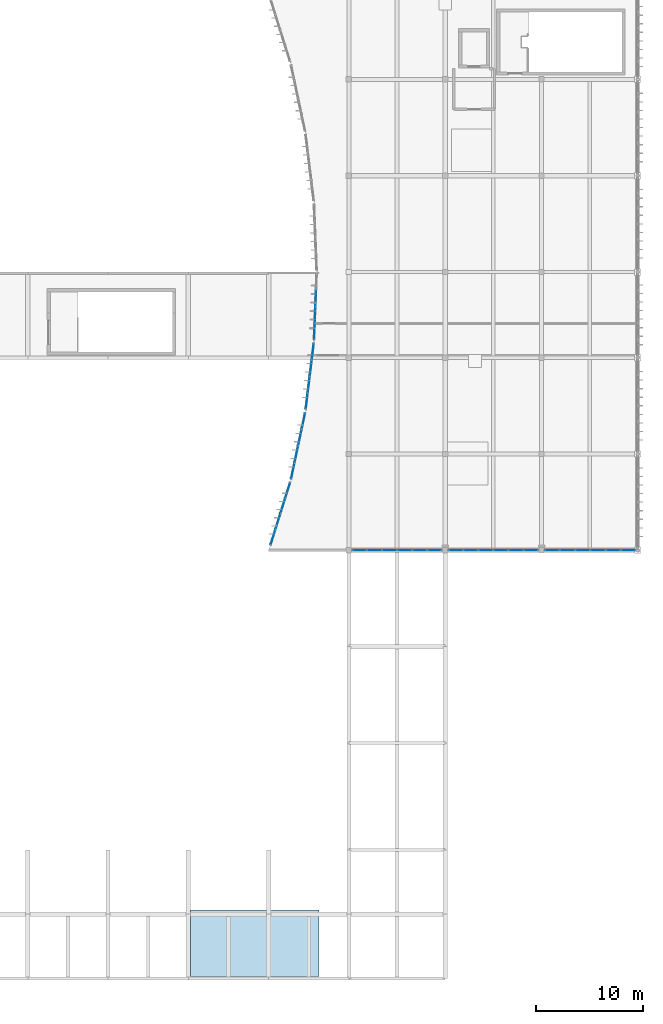
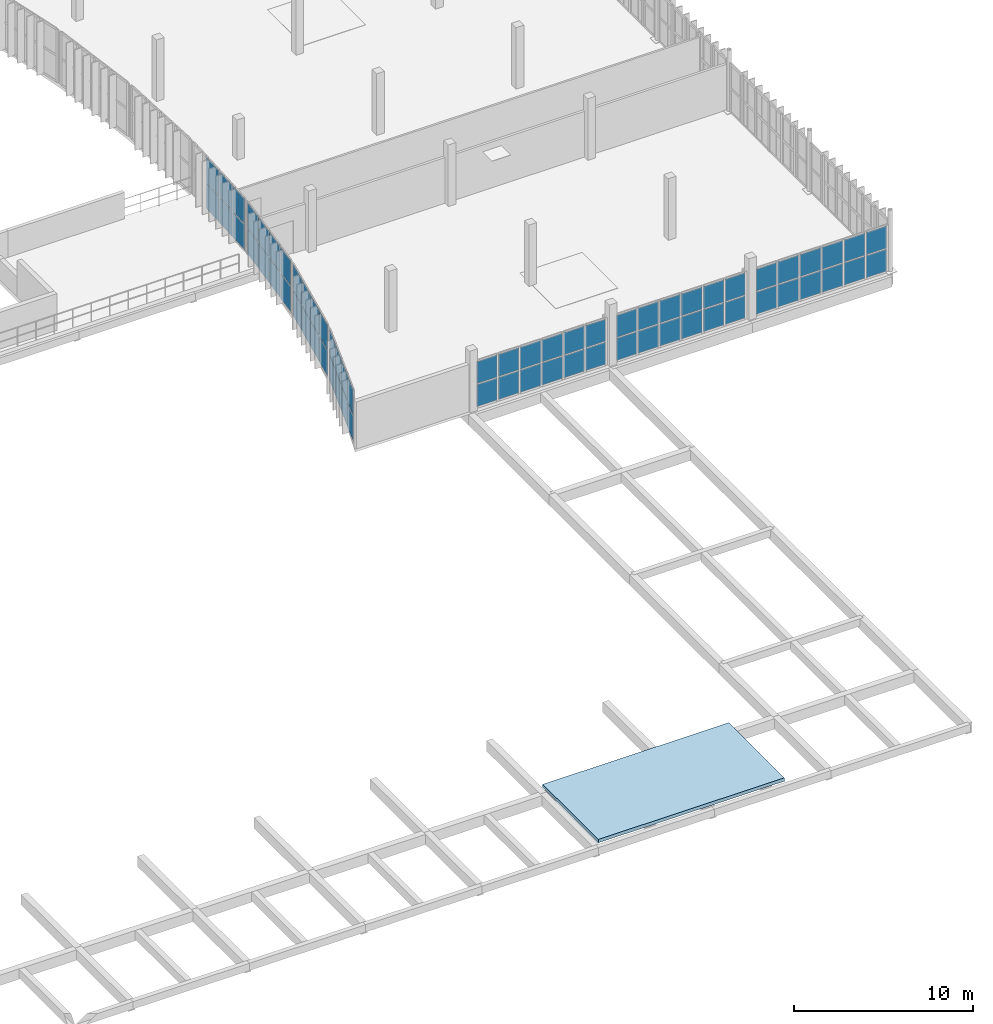
# One storey, part 36 of 61: 66 plates, 1 slab, 7 elements without a shape of their own.
"""IFC4 building model written with IfcOpenShell, lengths in metres."""

from ifc_helpers import new_model, si_unit, direction, frame, origin, origin_2d, place, context, subcontext, project, spatial, polyline, rectangle, outline, extrude, material, layer, layer_set, type_object, element, aggregate, save


model = new_model("IFC4")

# Units and contexts
model_context = context("Model", 3, precision=1e-05, world=origin(), true_north=direction((0.0, 1.0)))
body_context = subcontext(model_context, "Body", "Model", "MODEL_VIEW")
ifc_project = project(units=[si_unit("LENGTHUNIT", "METRE"), si_unit("AREAUNIT", "SQUARE_METRE"), si_unit("VOLUMEUNIT", "CUBIC_METRE"), si_unit("PLANEANGLEUNIT", "RADIAN"), si_unit("MASSUNIT", "GRAM", prefix="KILO")], contexts=[model_context])

# Site, building, storey
site_placement = place(None, origin())
site = spatial("IfcSite", under=ifc_project, at=site_placement, CompositionType="ELEMENT")
building_placement = place(site_placement, origin())
building = spatial("IfcBuilding", under=site, at=building_placement, Name="Vourika Railside Aquatics Centre", CompositionType="ELEMENT")
storey_placement = place(building_placement, frame((0.0, 0.0, 9.300048828125)))
storey = spatial("IfcBuildingStorey", under=building, at=storey_placement, Name="L02", CompositionType="ELEMENT", Elevation=9.300048828125)

# Curtain wall, plates
ifc_material_1 = material(Name="Anodized thermally broken aluminium", Category="aluminium")
curtain_wall_type_1 = type_object("IfcCurtainWallType", Name="CW-FOYC2", PredefinedType="NOTDEFINED", material=ifc_material_1)
curtain_wall_1_placement = place(storey_placement, origin())
curtain_wall_1 = element("IfcCurtainWall", 1, at=curtain_wall_1_placement, inside=storey, type_object=curtain_wall_type_1, Name="Curved Courtyard Foyer Curtain Wall L02-1", PredefinedType="NOTDEFINED")
ifc_material_2 = material(Name="Low-E solar-control laminated double glazing", Category="glass")
ifc_layer_1 = layer(ifc_material_2, 0.02392578125, Name="CWP-FOYC2")
ifc_layer_set_1 = layer_set([ifc_layer_1], Name="Low-E solar-control laminated double glazing")
plate_type_1 = type_object("IfcPlateType", Name="CWP-FOYC2", PredefinedType="CURTAIN_PANEL", material=ifc_layer_set_1)
plate_1_placement = place(storey_placement, frame((135.292724609375, 45.60888671875, 0.06787109375), z_axis=(0.0, 0.0, 1.0), x_axis=(-0.29997424472, -0.953947300696, 0.0)))
plate_1 = element("IfcPlate", 2, at=plate_1_placement, type_object=plate_type_1, Name="CW09 panel 1.1", PredefinedType="CURTAIN_PANEL", context=body_context, shape_type="SweptSolid", body=[
    extrude(rectangle(XDim=1.43896484375, YDim=0.02392578125, at=origin_2d()), origin(), (0.0, 0.0, 1.0), 1.7080078125),
])
plate_2_placement = place(storey_placement, frame((135.292724609375, 45.60888671875, 1.843994140625), z_axis=(0.0, 0.0, 1.0), x_axis=(-0.29997424472, -0.953947300696, 0.0)))
plate_2 = element("IfcPlate", 3, at=plate_2_placement, type_object=plate_type_1, Name="CW09 panel 1.2", PredefinedType="CURTAIN_PANEL", context=body_context, shape_type="SweptSolid", body=[
    extrude(rectangle(XDim=1.43896484375, YDim=0.02392578125, at=origin_2d()), origin(), (0.0, 0.0, 1.0), 1.7080078125),
])
plate_3_placement = place(storey_placement, frame((134.835693359375, 44.155029296875, 0.06787109375), z_axis=(0.0, 0.0, 1.0), x_axis=(-0.29997424472, -0.953947300696, 0.0)))
plate_3 = element("IfcPlate", 4, at=plate_3_placement, type_object=plate_type_1, Name="CW09 panel 2.1", PredefinedType="CURTAIN_PANEL", context=body_context, shape_type="SweptSolid", body=[
    extrude(rectangle(XDim=1.472900390625, YDim=0.02392578125, at=origin_2d()), origin(), (0.0, 0.0, 1.0), 1.7080078125),
])
plate_4_placement = place(storey_placement, frame((134.835693359375, 44.155029296875, 1.843994140625), z_axis=(0.0, 0.0, 1.0), x_axis=(-0.29997424472, -0.953947300696, 0.0)))
plate_4 = element("IfcPlate", 5, at=plate_4_placement, type_object=plate_type_1, Name="CW09 panel 2.2", PredefinedType="CURTAIN_PANEL", context=body_context, shape_type="SweptSolid", body=[
    extrude(rectangle(XDim=1.472900390625, YDim=0.02392578125, at=origin_2d()), origin(), (0.0, 0.0, 1.0), 1.7080078125),
])
plate_5_placement = place(storey_placement, frame((134.373291015625, 42.68505859375, 0.06787109375), z_axis=(0.0, 0.0, 1.0), x_axis=(-0.29997424472, -0.953947300696, 0.0)))
plate_5 = element("IfcPlate", 6, at=plate_5_placement, type_object=plate_type_1, Name="CW09 panel 3.1", PredefinedType="CURTAIN_PANEL", context=body_context, shape_type="SweptSolid", body=[
    extrude(rectangle(XDim=1.472900390625, YDim=0.02392578125, at=origin_2d()), origin(), (0.0, 0.0, 1.0), 1.7080078125),
])
plate_6_placement = place(storey_placement, frame((134.373291015625, 42.68505859375, 1.843994140625), z_axis=(0.0, 0.0, 1.0), x_axis=(-0.29997424472, -0.953947300696, 0.0)))
plate_6 = element("IfcPlate", 7, at=plate_6_placement, type_object=plate_type_1, Name="CW09 panel 3.2", PredefinedType="CURTAIN_PANEL", context=body_context, shape_type="SweptSolid", body=[
    extrude(rectangle(XDim=1.472900390625, YDim=0.02392578125, at=origin_2d()), origin(), (0.0, 0.0, 1.0), 1.7080078125),
])
plate_7_placement = place(storey_placement, frame((133.916259765625, 41.231201171875, 0.06787109375), z_axis=(0.0, 0.0, 1.0), x_axis=(-0.29997424472, -0.953947300696, 0.0)))
plate_7 = element("IfcPlate", 8, at=plate_7_placement, type_object=plate_type_1, Name="CW09 panel 4.1", PredefinedType="CURTAIN_PANEL", context=body_context, shape_type="SweptSolid", body=[
    extrude(rectangle(XDim=1.43896484375, YDim=0.02392578125, at=origin_2d()), origin(), (0.0, 0.0, 1.0), 1.7080078125),
])
plate_8_placement = place(storey_placement, frame((133.916259765625, 41.231201171875, 1.843994140625), z_axis=(0.0, 0.0, 1.0), x_axis=(-0.29997424472, -0.953947300696, 0.0)))
plate_8 = element("IfcPlate", 9, at=plate_8_placement, type_object=plate_type_1, Name="CW09 panel 4.2", PredefinedType="CURTAIN_PANEL", context=body_context, shape_type="SweptSolid", body=[
    extrude(rectangle(XDim=1.43896484375, YDim=0.02392578125, at=origin_2d()), origin(), (0.0, 0.0, 1.0), 1.7080078125),
])
aggregate(curtain_wall_1, [plate_1, plate_2, plate_3, plate_4, plate_5, plate_6, plate_7, plate_8])

curtain_wall_2_placement = place(storey_placement, origin())
curtain_wall_2 = element("IfcCurtainWall", 10, at=curtain_wall_2_placement, inside=storey, type_object=curtain_wall_type_1, Name="Curved Courtyard Foyer Curtain Wall L02-2", PredefinedType="NOTDEFINED")
plate_9_placement = place(storey_placement, frame((136.75341796875, 52.06591796875, 0.06787109375), z_axis=(0.0, 0.0, 1.0), x_axis=(-0.207595418094, -0.978214773139, 0.0)))
plate_9 = element("IfcPlate", 11, at=plate_9_placement, type_object=plate_type_1, Name="CW09 panel 1.1", PredefinedType="CURTAIN_PANEL", context=body_context, shape_type="SweptSolid", body=[
    extrude(rectangle(XDim=1.487548828125, YDim=0.02392578125, at=origin_2d()), origin(), (0.0, 0.0, 1.0), 1.7080078125),
])
plate_10_placement = place(storey_placement, frame((136.75341796875, 52.06591796875, 1.843994140625), z_axis=(0.0, 0.0, 1.0), x_axis=(-0.207595418094, -0.978214773139, 0.0)))
plate_10 = element("IfcPlate", 12, at=plate_10_placement, type_object=plate_type_1, Name="CW09 panel 1.2", PredefinedType="CURTAIN_PANEL", context=body_context, shape_type="SweptSolid", body=[
    extrude(rectangle(XDim=1.487548828125, YDim=0.02392578125, at=origin_2d()), origin(), (0.0, 0.0, 1.0), 1.7080078125),
])
plate_11_placement = place(storey_placement, frame((136.427001953125, 50.527587890625, 0.06787109375), z_axis=(0.0, 0.0, 1.0), x_axis=(-0.207595418094, -0.978214773139, 0.0)))
plate_11 = element("IfcPlate", 13, at=plate_11_placement, type_object=plate_type_1, Name="CW09 panel 2.1", PredefinedType="CURTAIN_PANEL", context=body_context, shape_type="SweptSolid", body=[
    extrude(rectangle(XDim=1.521728515625, YDim=0.02392578125, at=origin_2d()), origin(), (0.0, 0.0, 1.0), 1.7080078125),
])
plate_12_placement = place(storey_placement, frame((136.427001953125, 50.527587890625, 1.843994140625), z_axis=(0.0, 0.0, 1.0), x_axis=(-0.207595418094, -0.978214773139, 0.0)))
plate_12 = element("IfcPlate", 14, at=plate_12_placement, type_object=plate_type_1, Name="CW09 panel 2.2", PredefinedType="CURTAIN_PANEL", context=body_context, shape_type="SweptSolid", body=[
    extrude(rectangle(XDim=1.521728515625, YDim=0.02392578125, at=origin_2d()), origin(), (0.0, 0.0, 1.0), 1.7080078125),
])
plate_13_placement = place(storey_placement, frame((136.096923828125, 48.972412109375, 0.06787109375), z_axis=(0.0, 0.0, 1.0), x_axis=(-0.207595418094, -0.978214773139, 0.0)))
plate_13 = element("IfcPlate", 15, at=plate_13_placement, type_object=plate_type_1, Name="CW09 panel 3.1", PredefinedType="CURTAIN_PANEL", context=body_context, shape_type="SweptSolid", body=[
    extrude(rectangle(XDim=1.521728515625, YDim=0.02392578125, at=origin_2d()), origin(), (0.0, 0.0, 1.0), 1.7080078125),
])
plate_14_placement = place(storey_placement, frame((136.096923828125, 48.972412109375, 1.843994140625), z_axis=(0.0, 0.0, 1.0), x_axis=(-0.207595418094, -0.978214773139, 0.0)))
plate_14 = element("IfcPlate", 16, at=plate_14_placement, type_object=plate_type_1, Name="CW09 panel 3.2", PredefinedType="CURTAIN_PANEL", context=body_context, shape_type="SweptSolid", body=[
    extrude(rectangle(XDim=1.521728515625, YDim=0.02392578125, at=origin_2d()), origin(), (0.0, 0.0, 1.0), 1.7080078125),
])
plate_15_placement = place(storey_placement, frame((135.7705078125, 47.43408203125, 0.06787109375), z_axis=(0.0, 0.0, 1.0), x_axis=(-0.207595418094, -0.978214773139, 0.0)))
plate_15 = element("IfcPlate", 17, at=plate_15_placement, type_object=plate_type_1, Name="CW09 panel 4.1", PredefinedType="CURTAIN_PANEL", context=body_context, shape_type="SweptSolid", body=[
    extrude(rectangle(XDim=1.487548828125, YDim=0.02392578125, at=origin_2d()), origin(), (0.0, 0.0, 1.0), 1.7080078125),
])
plate_16_placement = place(storey_placement, frame((135.7705078125, 47.43408203125, 1.843994140625), z_axis=(0.0, 0.0, 1.0), x_axis=(-0.207595418094, -0.978214773139, 0.0)))
plate_16 = element("IfcPlate", 18, at=plate_16_placement, type_object=plate_type_1, Name="CW09 panel 4.2", PredefinedType="CURTAIN_PANEL", context=body_context, shape_type="SweptSolid", body=[
    extrude(rectangle(XDim=1.487548828125, YDim=0.02392578125, at=origin_2d()), origin(), (0.0, 0.0, 1.0), 1.7080078125),
])
aggregate(curtain_wall_2, [plate_9, plate_10, plate_11, plate_12, plate_13, plate_14, plate_15, plate_16])

curtain_wall_3_placement = place(storey_placement, origin())
curtain_wall_3 = element("IfcCurtainWall", 19, at=curtain_wall_3_placement, inside=storey, type_object=curtain_wall_type_1, Name="Curved Courtyard Foyer Curtain Wall L02-3", PredefinedType="NOTDEFINED")
plate_17_placement = place(storey_placement, frame((137.6318359375, 58.565673828125, 0.06787109375), z_axis=(0.0, 0.0, 1.0), x_axis=(-0.121441721361, -0.992598563525, 0.0)))
plate_17 = element("IfcPlate", 20, at=plate_17_placement, type_object=plate_type_1, Name="CW09 panel 1.1", PredefinedType="CURTAIN_PANEL", context=body_context, shape_type="SweptSolid", body=[
    extrude(rectangle(XDim=1.464599609375, YDim=0.02392578125, at=origin_2d()), origin(), (0.0, 0.0, 1.0), 1.7080078125),
])
plate_18_placement = place(storey_placement, frame((137.6318359375, 58.565673828125, 1.843994140625), z_axis=(0.0, 0.0, 1.0), x_axis=(-0.121441721361, -0.992598563525, 0.0)))
plate_18 = element("IfcPlate", 21, at=plate_18_placement, type_object=plate_type_1, Name="CW09 panel 1.2", PredefinedType="CURTAIN_PANEL", context=body_context, shape_type="SweptSolid", body=[
    extrude(rectangle(XDim=1.464599609375, YDim=0.02392578125, at=origin_2d()), origin(), (0.0, 0.0, 1.0), 1.7080078125),
])
plate_19_placement = place(storey_placement, frame((137.443603515625, 57.027587890625, 0.06787109375), z_axis=(0.0, 0.0, 1.0), x_axis=(-0.121441721361, -0.992598563525, 0.0)))
plate_19 = element("IfcPlate", 22, at=plate_19_placement, type_object=plate_type_1, Name="CW09 panel 2.1", PredefinedType="CURTAIN_PANEL", context=body_context, shape_type="SweptSolid", body=[
    extrude(rectangle(XDim=1.49853515625, YDim=0.02392578125, at=origin_2d()), origin(), (0.0, 0.0, 1.0), 1.7080078125),
])
plate_20_placement = place(storey_placement, frame((137.443603515625, 57.027587890625, 1.843994140625), z_axis=(0.0, 0.0, 1.0), x_axis=(-0.121441721361, -0.992598563525, 0.0)))
plate_20 = element("IfcPlate", 23, at=plate_20_placement, type_object=plate_type_1, Name="CW09 panel 2.2", PredefinedType="CURTAIN_PANEL", context=body_context, shape_type="SweptSolid", body=[
    extrude(rectangle(XDim=1.49853515625, YDim=0.02392578125, at=origin_2d()), origin(), (0.0, 0.0, 1.0), 1.7080078125),
])
plate_21_placement = place(storey_placement, frame((137.25341796875, 55.472412109375, 0.06787109375), z_axis=(0.0, 0.0, 1.0), x_axis=(-0.121441721361, -0.992598563525, 0.0)))
plate_21 = element("IfcPlate", 24, at=plate_21_placement, type_object=plate_type_1, Name="CW09 panel 3.1", PredefinedType="CURTAIN_PANEL", context=body_context, shape_type="SweptSolid", body=[
    extrude(rectangle(XDim=1.49853515625, YDim=0.02392578125, at=origin_2d()), origin(), (0.0, 0.0, 1.0), 1.7080078125),
])
plate_22_placement = place(storey_placement, frame((137.25341796875, 55.472412109375, 1.843994140625), z_axis=(0.0, 0.0, 1.0), x_axis=(-0.121441721361, -0.992598563525, 0.0)))
plate_22 = element("IfcPlate", 25, at=plate_22_placement, type_object=plate_type_1, Name="CW09 panel 3.2", PredefinedType="CURTAIN_PANEL", context=body_context, shape_type="SweptSolid", body=[
    extrude(rectangle(XDim=1.49853515625, YDim=0.02392578125, at=origin_2d()), origin(), (0.0, 0.0, 1.0), 1.7080078125),
])
plate_23_placement = place(storey_placement, frame((137.065185546875, 53.934326171875, 0.06787109375), z_axis=(0.0, 0.0, 1.0), x_axis=(-0.121441721361, -0.992598563525, 0.0)))
plate_23 = element("IfcPlate", 26, at=plate_23_placement, type_object=plate_type_1, Name="CW09 panel 4.1", PredefinedType="CURTAIN_PANEL", context=body_context, shape_type="SweptSolid", body=[
    extrude(rectangle(XDim=1.464599609375, YDim=0.02392578125, at=origin_2d()), origin(), (0.0, 0.0, 1.0), 1.7080078125),
])
plate_24_placement = place(storey_placement, frame((137.065185546875, 53.934326171875, 1.843994140625), z_axis=(0.0, 0.0, 1.0), x_axis=(-0.121441721361, -0.992598563525, 0.0)))
plate_24 = element("IfcPlate", 27, at=plate_24_placement, type_object=plate_type_1, Name="CW09 panel 4.2", PredefinedType="CURTAIN_PANEL", context=body_context, shape_type="SweptSolid", body=[
    extrude(rectangle(XDim=1.464599609375, YDim=0.02392578125, at=origin_2d()), origin(), (0.0, 0.0, 1.0), 1.7080078125),
])
aggregate(curtain_wall_3, [plate_17, plate_18, plate_19, plate_20, plate_21, plate_22, plate_23, plate_24])

curtain_wall_4_placement = place(storey_placement, origin())
curtain_wall_4 = element("IfcCurtainWall", 28, at=curtain_wall_4_placement, inside=storey, type_object=curtain_wall_type_1, Name="Curved Courtyard Foyer Curtain Wall L02-4", PredefinedType="NOTDEFINED")
plate_25_placement = place(storey_placement, frame((137.90673828125, 63.527587890625, 0.06787109375), z_axis=(0.0, 0.0, 1.0), x_axis=(-0.040000115606, -0.999199675116, 0.0)))
plate_25 = element("IfcPlate", 29, at=plate_25_placement, type_object=plate_type_1, Name="CW09 panel 2.1", PredefinedType="CURTAIN_PANEL", context=body_context, shape_type="SweptSolid", body=[
    extrude(rectangle(XDim=1.48828125, YDim=0.02392578125, at=origin_2d()), origin(), (0.0, 0.0, 1.0), 1.7080078125),
])
plate_26_placement = place(storey_placement, frame((137.90673828125, 63.527587890625, 1.843994140625), z_axis=(0.0, 0.0, 1.0), x_axis=(-0.040000115606, -0.999199675116, 0.0)))
plate_26 = element("IfcPlate", 30, at=plate_26_placement, type_object=plate_type_1, Name="CW09 panel 2.2", PredefinedType="CURTAIN_PANEL", context=body_context, shape_type="SweptSolid", body=[
    extrude(rectangle(XDim=1.48828125, YDim=0.02392578125, at=origin_2d()), origin(), (0.0, 0.0, 1.0), 1.7080078125),
])
plate_27_placement = place(storey_placement, frame((137.844482421875, 61.972412109375, 0.06787109375), z_axis=(0.0, 0.0, 1.0), x_axis=(-0.040000115606, -0.999199675116, 0.0)))
plate_27 = element("IfcPlate", 31, at=plate_27_placement, type_object=plate_type_1, Name="CW09 panel 3.1", PredefinedType="CURTAIN_PANEL", context=body_context, shape_type="SweptSolid", body=[
    extrude(rectangle(XDim=1.48828125, YDim=0.02392578125, at=origin_2d()), origin(), (0.0, 0.0, 1.0), 1.7080078125),
])
plate_28_placement = place(storey_placement, frame((137.844482421875, 61.972412109375, 1.843994140625), z_axis=(0.0, 0.0, 1.0), x_axis=(-0.040000115606, -0.999199675116, 0.0)))
plate_28 = element("IfcPlate", 32, at=plate_28_placement, type_object=plate_type_1, Name="CW09 panel 3.2", PredefinedType="CURTAIN_PANEL", context=body_context, shape_type="SweptSolid", body=[
    extrude(rectangle(XDim=1.48828125, YDim=0.02392578125, at=origin_2d()), origin(), (0.0, 0.0, 1.0), 1.7080078125),
])
plate_29_placement = place(storey_placement, frame((137.78271484375, 60.4345703125, 0.06787109375), z_axis=(0.0, 0.0, 1.0), x_axis=(-0.040000115606, -0.999199675116, 0.0)))
plate_29 = element("IfcPlate", 33, at=plate_29_placement, type_object=plate_type_1, Name="CW09 panel 4.1", PredefinedType="CURTAIN_PANEL", context=body_context, shape_type="SweptSolid", body=[
    extrude(rectangle(XDim=1.454345703125, YDim=0.02392578125, at=origin_2d()), origin(), (0.0, 0.0, 1.0), 1.7080078125),
])
plate_30_placement = place(storey_placement, frame((137.78271484375, 60.4345703125, 1.843994140625), z_axis=(0.0, 0.0, 1.0), x_axis=(-0.040000115606, -0.999199675116, 0.0)))
plate_30 = element("IfcPlate", 34, at=plate_30_placement, type_object=plate_type_1, Name="CW09 panel 4.2", PredefinedType="CURTAIN_PANEL", context=body_context, shape_type="SweptSolid", body=[
    extrude(rectangle(XDim=1.454345703125, YDim=0.02392578125, at=origin_2d()), origin(), (0.0, 0.0, 1.0), 1.7080078125),
])
aggregate(curtain_wall_4, [plate_25, plate_26, plate_27, plate_28, plate_29, plate_30])

curtain_wall_type_2 = type_object("IfcCurtainWallType", Name="CW-FOYS", PredefinedType="NOTDEFINED", material=ifc_material_1)
curtain_wall_5_placement = place(storey_placement, origin())
curtain_wall_5 = element("IfcCurtainWall", 35, at=curtain_wall_5_placement, inside=storey, type_object=curtain_wall_type_2, Name="Foyer South Glazed Facade L02-1", PredefinedType="NOTDEFINED")
ifc_layer_2 = layer(ifc_material_2, 0.031982421875, Name="CWP-FOYS")
ifc_layer_set_2 = layer_set([ifc_layer_2], Name="Low-E solar-control laminated double glazing")
plate_type_2 = type_object("IfcPlateType", Name="CWP-FOYS", PredefinedType="CURTAIN_PANEL", material=ifc_layer_set_2)
plate_31_placement = place(storey_placement, frame((142.001220703125, 40.0, 0.072021484375), z_axis=(0.0, 0.0, 1.0), x_axis=(1.0, 0.0, 0.0)))
plate_31 = element("IfcPlate", 36, at=plate_31_placement, type_object=plate_type_2, Name="CW11 panel 1.1", PredefinedType="CURTAIN_PANEL", context=body_context, shape_type="SweptSolid", body=[
    extrude(rectangle(XDim=1.298583984375, YDim=0.031982421875, at=origin_2d()), origin(), (0.0, 0.0, 1.0), 1.501953125),
])
plate_32_placement = place(storey_placement, frame((142.001220703125, 40.0, 1.64599609375), z_axis=(0.0, 0.0, 1.0), x_axis=(1.0, 0.0, 0.0)))
plate_32 = element("IfcPlate", 37, at=plate_32_placement, type_object=plate_type_2, Name="CW11 panel 1.2", PredefinedType="CURTAIN_PANEL", context=body_context, shape_type="SweptSolid", body=[
    extrude(rectangle(XDim=1.298583984375, YDim=0.031982421875, at=origin_2d()), origin(), (0.0, 0.0, 1.0), 1.501953125),
])
plate_33_placement = place(storey_placement, frame((143.389892578125, 40.0, 0.072021484375), z_axis=(0.0, 0.0, 1.0), x_axis=(1.0, 0.0, 0.0)))
plate_33 = element("IfcPlate", 38, at=plate_33_placement, type_object=plate_type_2, Name="CW11 panel 2.1", PredefinedType="CURTAIN_PANEL", context=body_context, shape_type="SweptSolid", body=[
    extrude(rectangle(XDim=1.334716796875, YDim=0.031982421875, at=origin_2d()), origin(), (0.0, 0.0, 1.0), 1.501953125),
])
plate_34_placement = place(storey_placement, frame((143.389892578125, 40.0, 1.64599609375), z_axis=(0.0, 0.0, 1.0), x_axis=(1.0, 0.0, 0.0)))
plate_34 = element("IfcPlate", 39, at=plate_34_placement, type_object=plate_type_2, Name="CW11 panel 2.2", PredefinedType="CURTAIN_PANEL", context=body_context, shape_type="SweptSolid", body=[
    extrude(rectangle(XDim=1.334716796875, YDim=0.031982421875, at=origin_2d()), origin(), (0.0, 0.0, 1.0), 1.501953125),
])
plate_35_placement = place(storey_placement, frame((144.796630859375, 40.0, 0.072021484375), z_axis=(0.0, 0.0, 1.0), x_axis=(1.0, 0.0, 0.0)))
plate_35 = element("IfcPlate", 40, at=plate_35_placement, type_object=plate_type_2, Name="CW11 panel 3.1", PredefinedType="CURTAIN_PANEL", context=body_context, shape_type="SweptSolid", body=[
    extrude(rectangle(XDim=1.334716796875, YDim=0.031982421875, at=origin_2d()), origin(), (0.0, 0.0, 1.0), 1.501953125),
])
plate_36_placement = place(storey_placement, frame((144.796630859375, 40.0, 1.64599609375), z_axis=(0.0, 0.0, 1.0), x_axis=(1.0, 0.0, 0.0)))
plate_36 = element("IfcPlate", 41, at=plate_36_placement, type_object=plate_type_2, Name="CW11 panel 3.2", PredefinedType="CURTAIN_PANEL", context=body_context, shape_type="SweptSolid", body=[
    extrude(rectangle(XDim=1.334716796875, YDim=0.031982421875, at=origin_2d()), origin(), (0.0, 0.0, 1.0), 1.501953125),
])
plate_37_placement = place(storey_placement, frame((146.203369140625, 40.0, 0.072021484375), z_axis=(0.0, 0.0, 1.0), x_axis=(1.0, 0.0, 0.0)))
plate_37 = element("IfcPlate", 42, at=plate_37_placement, type_object=plate_type_2, Name="CW11 panel 4.1", PredefinedType="CURTAIN_PANEL", context=body_context, shape_type="SweptSolid", body=[
    extrude(rectangle(XDim=1.334716796875, YDim=0.031982421875, at=origin_2d()), origin(), (0.0, 0.0, 1.0), 1.501953125),
])
plate_38_placement = place(storey_placement, frame((146.203369140625, 40.0, 1.64599609375), z_axis=(0.0, 0.0, 1.0), x_axis=(1.0, 0.0, 0.0)))
plate_38 = element("IfcPlate", 43, at=plate_38_placement, type_object=plate_type_2, Name="CW11 panel 4.2", PredefinedType="CURTAIN_PANEL", context=body_context, shape_type="SweptSolid", body=[
    extrude(rectangle(XDim=1.334716796875, YDim=0.031982421875, at=origin_2d()), origin(), (0.0, 0.0, 1.0), 1.501953125),
])
plate_39_placement = place(storey_placement, frame((147.610107421875, 40.0, 0.072021484375), z_axis=(0.0, 0.0, 1.0), x_axis=(1.0, 0.0, 0.0)))
plate_39 = element("IfcPlate", 44, at=plate_39_placement, type_object=plate_type_2, Name="CW11 panel 5.1", PredefinedType="CURTAIN_PANEL", context=body_context, shape_type="SweptSolid", body=[
    extrude(rectangle(XDim=1.334716796875, YDim=0.031982421875, at=origin_2d()), origin(), (0.0, 0.0, 1.0), 1.501953125),
])
plate_40_placement = place(storey_placement, frame((147.610107421875, 40.0, 1.64599609375), z_axis=(0.0, 0.0, 1.0), x_axis=(1.0, 0.0, 0.0)))
plate_40 = element("IfcPlate", 45, at=plate_40_placement, type_object=plate_type_2, Name="CW11 panel 5.2", PredefinedType="CURTAIN_PANEL", context=body_context, shape_type="SweptSolid", body=[
    extrude(rectangle(XDim=1.334716796875, YDim=0.031982421875, at=origin_2d()), origin(), (0.0, 0.0, 1.0), 1.501953125),
])
plate_41_placement = place(storey_placement, frame((148.998779296875, 40.0, 0.072021484375), z_axis=(0.0, 0.0, 1.0), x_axis=(1.0, 0.0, 0.0)))
plate_41 = element("IfcPlate", 46, at=plate_41_placement, type_object=plate_type_2, Name="CW11 panel 6.1", PredefinedType="CURTAIN_PANEL", context=body_context, shape_type="SweptSolid", body=[
    extrude(rectangle(XDim=1.298583984375, YDim=0.031982421875, at=origin_2d()), origin(), (0.0, 0.0, 1.0), 1.501953125),
])
plate_42_placement = place(storey_placement, frame((148.998779296875, 40.0, 1.64599609375), z_axis=(0.0, 0.0, 1.0), x_axis=(1.0, 0.0, 0.0)))
plate_42 = element("IfcPlate", 47, at=plate_42_placement, type_object=plate_type_2, Name="CW11 panel 6.2", PredefinedType="CURTAIN_PANEL", context=body_context, shape_type="SweptSolid", body=[
    extrude(rectangle(XDim=1.298583984375, YDim=0.031982421875, at=origin_2d()), origin(), (0.0, 0.0, 1.0), 1.501953125),
])
aggregate(curtain_wall_5, [plate_31, plate_32, plate_33, plate_34, plate_35, plate_36, plate_37, plate_38, plate_39, plate_40, plate_41, plate_42])

curtain_wall_6_placement = place(storey_placement, origin())
curtain_wall_6 = element("IfcCurtainWall", 48, at=curtain_wall_6_placement, inside=storey, type_object=curtain_wall_type_2, Name="Foyer South Glazed Facade L02-2", PredefinedType="NOTDEFINED")
plate_43_placement = place(storey_placement, frame((151.001220703125, 40.0, 0.072021484375), z_axis=(0.0, 0.0, 1.0), x_axis=(1.0, 0.0, 0.0)))
plate_43 = element("IfcPlate", 49, at=plate_43_placement, type_object=plate_type_2, Name="CW11 panel 1.1", PredefinedType="CURTAIN_PANEL", context=body_context, shape_type="SweptSolid", body=[
    extrude(rectangle(XDim=1.298583984375, YDim=0.031982421875, at=origin_2d()), origin(), (0.0, 0.0, 1.0), 1.501953125),
])
plate_44_placement = place(storey_placement, frame((151.001220703125, 40.0, 1.64599609375), z_axis=(0.0, 0.0, 1.0), x_axis=(1.0, 0.0, 0.0)))
plate_44 = element("IfcPlate", 50, at=plate_44_placement, type_object=plate_type_2, Name="CW11 panel 1.2", PredefinedType="CURTAIN_PANEL", context=body_context, shape_type="SweptSolid", body=[
    extrude(rectangle(XDim=1.298583984375, YDim=0.031982421875, at=origin_2d()), origin(), (0.0, 0.0, 1.0), 1.501953125),
])
plate_45_placement = place(storey_placement, frame((152.389892578125, 40.0, 0.072021484375), z_axis=(0.0, 0.0, 1.0), x_axis=(1.0, 0.0, 0.0)))
plate_45 = element("IfcPlate", 51, at=plate_45_placement, type_object=plate_type_2, Name="CW11 panel 2.1", PredefinedType="CURTAIN_PANEL", context=body_context, shape_type="SweptSolid", body=[
    extrude(rectangle(XDim=1.334716796875, YDim=0.031982421875, at=origin_2d()), origin(), (0.0, 0.0, 1.0), 1.501953125),
])
plate_46_placement = place(storey_placement, frame((152.389892578125, 40.0, 1.64599609375), z_axis=(0.0, 0.0, 1.0), x_axis=(1.0, 0.0, 0.0)))
plate_46 = element("IfcPlate", 52, at=plate_46_placement, type_object=plate_type_2, Name="CW11 panel 2.2", PredefinedType="CURTAIN_PANEL", context=body_context, shape_type="SweptSolid", body=[
    extrude(rectangle(XDim=1.334716796875, YDim=0.031982421875, at=origin_2d()), origin(), (0.0, 0.0, 1.0), 1.501953125),
])
plate_47_placement = place(storey_placement, frame((153.796630859375, 40.0, 0.072021484375), z_axis=(0.0, 0.0, 1.0), x_axis=(1.0, 0.0, 0.0)))
plate_47 = element("IfcPlate", 53, at=plate_47_placement, type_object=plate_type_2, Name="CW11 panel 3.1", PredefinedType="CURTAIN_PANEL", context=body_context, shape_type="SweptSolid", body=[
    extrude(rectangle(XDim=1.334716796875, YDim=0.031982421875, at=origin_2d()), origin(), (0.0, 0.0, 1.0), 1.501953125),
])
plate_48_placement = place(storey_placement, frame((153.796630859375, 40.0, 1.64599609375), z_axis=(0.0, 0.0, 1.0), x_axis=(1.0, 0.0, 0.0)))
plate_48 = element("IfcPlate", 54, at=plate_48_placement, type_object=plate_type_2, Name="CW11 panel 3.2", PredefinedType="CURTAIN_PANEL", context=body_context, shape_type="SweptSolid", body=[
    extrude(rectangle(XDim=1.334716796875, YDim=0.031982421875, at=origin_2d()), origin(), (0.0, 0.0, 1.0), 1.501953125),
])
plate_49_placement = place(storey_placement, frame((155.203369140625, 40.0, 0.072021484375), z_axis=(0.0, 0.0, 1.0), x_axis=(1.0, 0.0, 0.0)))
plate_49 = element("IfcPlate", 55, at=plate_49_placement, type_object=plate_type_2, Name="CW11 panel 4.1", PredefinedType="CURTAIN_PANEL", context=body_context, shape_type="SweptSolid", body=[
    extrude(rectangle(XDim=1.334716796875, YDim=0.031982421875, at=origin_2d()), origin(), (0.0, 0.0, 1.0), 1.501953125),
])
plate_50_placement = place(storey_placement, frame((155.203369140625, 40.0, 1.64599609375), z_axis=(0.0, 0.0, 1.0), x_axis=(1.0, 0.0, 0.0)))
plate_50 = element("IfcPlate", 56, at=plate_50_placement, type_object=plate_type_2, Name="CW11 panel 4.2", PredefinedType="CURTAIN_PANEL", context=body_context, shape_type="SweptSolid", body=[
    extrude(rectangle(XDim=1.334716796875, YDim=0.031982421875, at=origin_2d()), origin(), (0.0, 0.0, 1.0), 1.501953125),
])
plate_51_placement = place(storey_placement, frame((156.610107421875, 40.0, 0.072021484375), z_axis=(0.0, 0.0, 1.0), x_axis=(1.0, 0.0, 0.0)))
plate_51 = element("IfcPlate", 57, at=plate_51_placement, type_object=plate_type_2, Name="CW11 panel 5.1", PredefinedType="CURTAIN_PANEL", context=body_context, shape_type="SweptSolid", body=[
    extrude(rectangle(XDim=1.334716796875, YDim=0.031982421875, at=origin_2d()), origin(), (0.0, 0.0, 1.0), 1.501953125),
])
plate_52_placement = place(storey_placement, frame((156.610107421875, 40.0, 1.64599609375), z_axis=(0.0, 0.0, 1.0), x_axis=(1.0, 0.0, 0.0)))
plate_52 = element("IfcPlate", 58, at=plate_52_placement, type_object=plate_type_2, Name="CW11 panel 5.2", PredefinedType="CURTAIN_PANEL", context=body_context, shape_type="SweptSolid", body=[
    extrude(rectangle(XDim=1.334716796875, YDim=0.031982421875, at=origin_2d()), origin(), (0.0, 0.0, 1.0), 1.501953125),
])
plate_53_placement = place(storey_placement, frame((157.998779296875, 40.0, 0.072021484375), z_axis=(0.0, 0.0, 1.0), x_axis=(1.0, 0.0, 0.0)))
plate_53 = element("IfcPlate", 59, at=plate_53_placement, type_object=plate_type_2, Name="CW11 panel 6.1", PredefinedType="CURTAIN_PANEL", context=body_context, shape_type="SweptSolid", body=[
    extrude(rectangle(XDim=1.298583984375, YDim=0.031982421875, at=origin_2d()), origin(), (0.0, 0.0, 1.0), 1.501953125),
])
plate_54_placement = place(storey_placement, frame((157.998779296875, 40.0, 1.64599609375), z_axis=(0.0, 0.0, 1.0), x_axis=(1.0, 0.0, 0.0)))
plate_54 = element("IfcPlate", 60, at=plate_54_placement, type_object=plate_type_2, Name="CW11 panel 6.2", PredefinedType="CURTAIN_PANEL", context=body_context, shape_type="SweptSolid", body=[
    extrude(rectangle(XDim=1.298583984375, YDim=0.031982421875, at=origin_2d()), origin(), (0.0, 0.0, 1.0), 1.501953125),
])
aggregate(curtain_wall_6, [plate_43, plate_44, plate_45, plate_46, plate_47, plate_48, plate_49, plate_50, plate_51, plate_52, plate_53, plate_54])

curtain_wall_7_placement = place(storey_placement, origin())
curtain_wall_7 = element("IfcCurtainWall", 61, at=curtain_wall_7_placement, inside=storey, type_object=curtain_wall_type_2, Name="Foyer South Glazed Facade L02-3", PredefinedType="NOTDEFINED")
plate_55_placement = place(storey_placement, frame((160.0107421875, 40.0, 0.072021484375), z_axis=(0.0, 0.0, 1.0), x_axis=(1.0, 0.0, 0.0)))
plate_55 = element("IfcPlate", 62, at=plate_55_placement, type_object=plate_type_2, Name="CW11 panel 1.1", PredefinedType="CURTAIN_PANEL", context=body_context, shape_type="SweptSolid", body=[
    extrude(rectangle(XDim=1.317626953125, YDim=0.031982421875, at=origin_2d()), origin(), (0.0, 0.0, 1.0), 1.501953125),
])
plate_56_placement = place(storey_placement, frame((160.0107421875, 40.0, 1.64599609375), z_axis=(0.0, 0.0, 1.0), x_axis=(1.0, 0.0, 0.0)))
plate_56 = element("IfcPlate", 63, at=plate_56_placement, type_object=plate_type_2, Name="CW11 panel 1.2", PredefinedType="CURTAIN_PANEL", context=body_context, shape_type="SweptSolid", body=[
    extrude(rectangle(XDim=1.317626953125, YDim=0.031982421875, at=origin_2d()), origin(), (0.0, 0.0, 1.0), 1.501953125),
])
plate_57_placement = place(storey_placement, frame((161.41845703125, 40.0, 0.072021484375), z_axis=(0.0, 0.0, 1.0), x_axis=(1.0, 0.0, 0.0)))
plate_57 = element("IfcPlate", 64, at=plate_57_placement, type_object=plate_type_2, Name="CW11 panel 2.1", PredefinedType="CURTAIN_PANEL", context=body_context, shape_type="SweptSolid", body=[
    extrude(rectangle(XDim=1.353515625, YDim=0.031982421875, at=origin_2d()), origin(), (0.0, 0.0, 1.0), 1.501953125),
])
plate_58_placement = place(storey_placement, frame((161.41845703125, 40.0, 1.64599609375), z_axis=(0.0, 0.0, 1.0), x_axis=(1.0, 0.0, 0.0)))
plate_58 = element("IfcPlate", 65, at=plate_58_placement, type_object=plate_type_2, Name="CW11 panel 2.2", PredefinedType="CURTAIN_PANEL", context=body_context, shape_type="SweptSolid", body=[
    extrude(rectangle(XDim=1.353515625, YDim=0.031982421875, at=origin_2d()), origin(), (0.0, 0.0, 1.0), 1.501953125),
])
plate_59_placement = place(storey_placement, frame((162.843994140625, 40.0, 0.072021484375), z_axis=(0.0, 0.0, 1.0), x_axis=(1.0, 0.0, 0.0)))
plate_59 = element("IfcPlate", 66, at=plate_59_placement, type_object=plate_type_2, Name="CW11 panel 3.1", PredefinedType="CURTAIN_PANEL", context=body_context, shape_type="SweptSolid", body=[
    extrude(rectangle(XDim=1.353515625, YDim=0.031982421875, at=origin_2d()), origin(), (0.0, 0.0, 1.0), 1.501953125),
])
plate_60_placement = place(storey_placement, frame((162.843994140625, 40.0, 1.64599609375), z_axis=(0.0, 0.0, 1.0), x_axis=(1.0, 0.0, 0.0)))
plate_60 = element("IfcPlate", 67, at=plate_60_placement, type_object=plate_type_2, Name="CW11 panel 3.2", PredefinedType="CURTAIN_PANEL", context=body_context, shape_type="SweptSolid", body=[
    extrude(rectangle(XDim=1.353515625, YDim=0.031982421875, at=origin_2d()), origin(), (0.0, 0.0, 1.0), 1.501953125),
])
plate_61_placement = place(storey_placement, frame((164.26953125, 40.0, 0.072021484375), z_axis=(0.0, 0.0, 1.0), x_axis=(1.0, 0.0, 0.0)))
plate_61 = element("IfcPlate", 68, at=plate_61_placement, type_object=plate_type_2, Name="CW11 panel 4.1", PredefinedType="CURTAIN_PANEL", context=body_context, shape_type="SweptSolid", body=[
    extrude(rectangle(XDim=1.353515625, YDim=0.031982421875, at=origin_2d()), origin(), (0.0, 0.0, 1.0), 1.501953125),
])
plate_62_placement = place(storey_placement, frame((164.26953125, 40.0, 1.64599609375), z_axis=(0.0, 0.0, 1.0), x_axis=(1.0, 0.0, 0.0)))
plate_62 = element("IfcPlate", 69, at=plate_62_placement, type_object=plate_type_2, Name="CW11 panel 4.2", PredefinedType="CURTAIN_PANEL", context=body_context, shape_type="SweptSolid", body=[
    extrude(rectangle(XDim=1.353515625, YDim=0.031982421875, at=origin_2d()), origin(), (0.0, 0.0, 1.0), 1.501953125),
])
plate_63_placement = place(storey_placement, frame((165.695068359375, 40.0, 0.072021484375), z_axis=(0.0, 0.0, 1.0), x_axis=(1.0, 0.0, 0.0)))
plate_63 = element("IfcPlate", 70, at=plate_63_placement, type_object=plate_type_2, Name="CW11 panel 5.1", PredefinedType="CURTAIN_PANEL", context=body_context, shape_type="SweptSolid", body=[
    extrude(rectangle(XDim=1.353515625, YDim=0.031982421875, at=origin_2d()), origin(), (0.0, 0.0, 1.0), 1.501953125),
])
plate_64_placement = place(storey_placement, frame((165.695068359375, 40.0, 1.64599609375), z_axis=(0.0, 0.0, 1.0), x_axis=(1.0, 0.0, 0.0)))
plate_64 = element("IfcPlate", 71, at=plate_64_placement, type_object=plate_type_2, Name="CW11 panel 5.2", PredefinedType="CURTAIN_PANEL", context=body_context, shape_type="SweptSolid", body=[
    extrude(rectangle(XDim=1.353515625, YDim=0.031982421875, at=origin_2d()), origin(), (0.0, 0.0, 1.0), 1.501953125),
])
plate_65_placement = place(storey_placement, frame((167.102783203125, 40.0, 0.072021484375), z_axis=(0.0, 0.0, 1.0), x_axis=(1.0, 0.0, 0.0)))
plate_65 = element("IfcPlate", 72, at=plate_65_placement, type_object=plate_type_2, Name="CW11 panel 6.1", PredefinedType="CURTAIN_PANEL", context=body_context, shape_type="SweptSolid", body=[
    extrude(rectangle(XDim=1.317626953125, YDim=0.031982421875, at=origin_2d()), origin(), (0.0, 0.0, 1.0), 1.501953125),
])
plate_66_placement = place(storey_placement, frame((167.102783203125, 40.0, 1.64599609375), z_axis=(0.0, 0.0, 1.0), x_axis=(1.0, 0.0, 0.0)))
plate_66 = element("IfcPlate", 73, at=plate_66_placement, type_object=plate_type_2, Name="CW11 panel 6.2", PredefinedType="CURTAIN_PANEL", context=body_context, shape_type="SweptSolid", body=[
    extrude(rectangle(XDim=1.317626953125, YDim=0.031982421875, at=origin_2d()), origin(), (0.0, 0.0, 1.0), 1.501953125),
])
aggregate(curtain_wall_7, [plate_55, plate_56, plate_57, plate_58, plate_59, plate_60, plate_61, plate_62, plate_63, plate_64, plate_65, plate_66])

# Slab
ifc_material_3 = material(Name="Concrete C35/45", Category="concrete")
ifc_layer_3 = layer(ifc_material_3, 0.22998046875, Name="SLB-ROOF-EAV230")
ifc_layer_set_3 = layer_set([ifc_layer_3], Name="Concrete C35/45")
slab_type = type_object("IfcSlabType", Name="SLB-ROOF-EAV230", PredefinedType="ROOF", material=ifc_layer_set_3)
slab_placement = place(storey_placement, frame((0.0, 0.0, -0.22998046875)))
element("IfcSlab", 74, at=slab_placement, inside=storey, type_object=slab_type, Name="Protected Exit Stair Core ST06 Shaft Roof Slab", PredefinedType="ROOF", context=body_context, shape_type="SweptSolid", body=[
    extrude(outline(polyline([(126.199951171875, 0.199951171875), (138.199951171875, 0.199951171875), (138.199951171875, 6.39990234375), (126.199951171875, 6.39990234375), (126.199951171875, 0.199951171875)])), origin(), (0.0, 0.0, 1.0), 0.22998046875),
])

save(model, "model.ifc")
